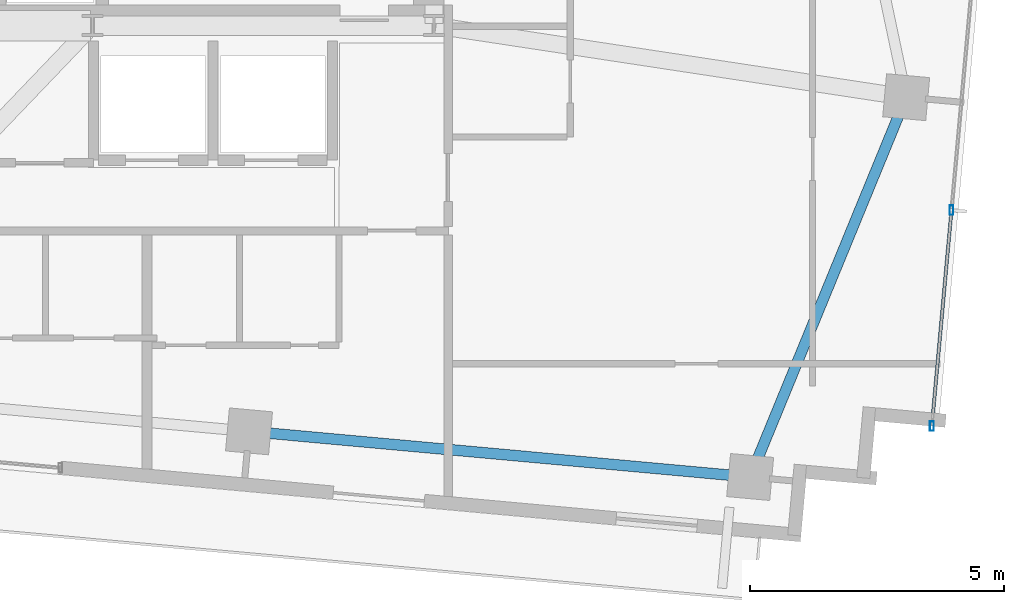
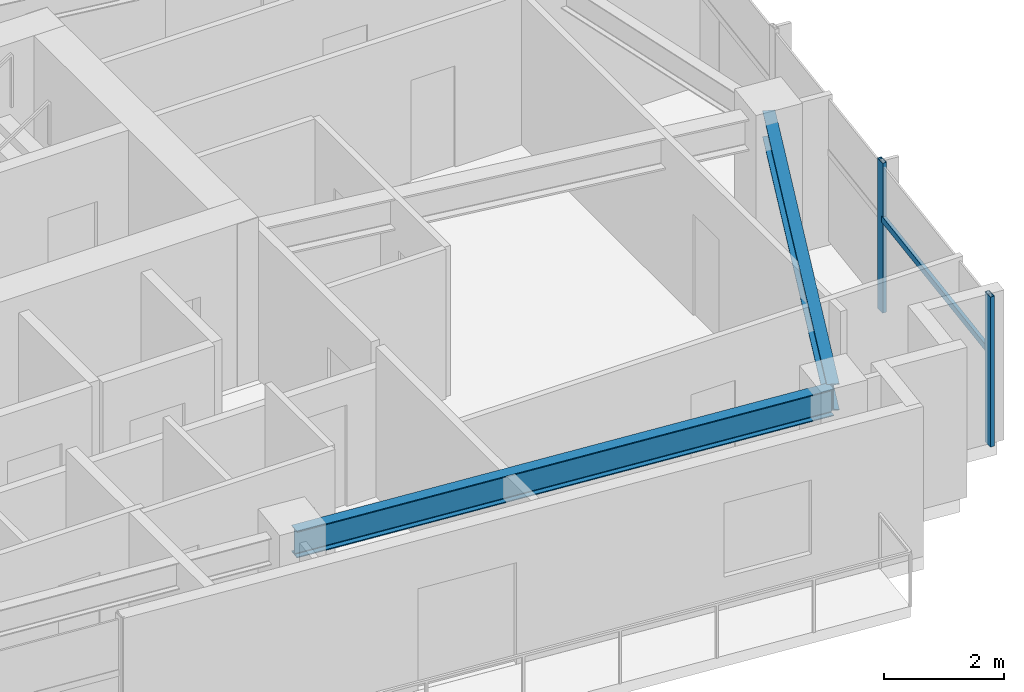
# One storey, part 12 of 22: 3 members, 2 beams, 1 element without a shape of its own.
"""IFC4 building model written with IfcOpenShell, lengths in metres."""

from ifc_helpers import new_model, si_unit, direction, frame, origin, origin_2d, place, context, subcontext, project, spatial, hollow_rectangle, i_section, extrude, source, transform, mapped, material, material_profile, profile_set, type_object, type_shapes, element, aggregate, save


model = new_model("IFC4")

# Units and contexts
model_context = context("Model", 3, precision=1e-05, world=origin(), true_north=direction((0.0, 1.0)))
body_context = subcontext(model_context, "Body", "Model", "MODEL_VIEW")
ifc_project = project(units=[si_unit("LENGTHUNIT", "METRE"), si_unit("AREAUNIT", "SQUARE_METRE"), si_unit("VOLUMEUNIT", "CUBIC_METRE"), si_unit("PLANEANGLEUNIT", "RADIAN"), si_unit("MASSUNIT", "GRAM", prefix="KILO")], contexts=[model_context])

# Site, building, storey
site_placement = place(None, origin())
site = spatial("IfcSite", under=ifc_project, at=site_placement, CompositionType="ELEMENT")
building_placement = place(site_placement, origin())
building = spatial("IfcBuilding", under=site, at=building_placement, Name="Astriad Promenade Condominiums", CompositionType="ELEMENT")
storey_placement = place(building_placement, frame((0.0, 0.0, 239.699951171875)))
storey = spatial("IfcBuildingStorey", under=building, at=storey_placement, Name="L69", CompositionType="ELEMENT", Elevation=239.699951171875)

# Beams
ifc_material_1 = material(Name="Steel ASTM A992 Grade 50", Category="steel")
ifc_material_profile_1 = material_profile(ifc_material_1, i_section(OverallWidth=0.210693359375, OverallDepth=0.53955078125, WebThickness=0.01171875, FlangeThickness=0.018798828125, FilletRadius=0.0166015625, at=origin_2d()), Name="W21X73")
ifc_profile_set_1 = profile_set([ifc_material_profile_1], Name="Steel ASTM A992 Grade 50")
beam_type = type_object("IfcBeamType", Name="STEEL SPANDREL BEAM W21X73", PredefinedType="SPANDREL", material=ifc_profile_set_1)
shared_shape_1 = source(origin(), body_context, "Body", "SweptSolid", [
    extrude(i_section(OverallWidth=0.210693359375, OverallDepth=0.53955078125, WebThickness=0.01171875, FlangeThickness=0.018798828125, FilletRadius=0.0166015625, at=origin_2d()), origin(), (0.0, 0.0, 1.0), 9.820068359375),
])
beam_1_placement = place(storey_placement, frame((41.99951171875, 9.410888671875, 2.770263671875), z_axis=(0.995883214993, -0.090645585088, 0.0), x_axis=(0.090645585088, 0.995883214993, 0.0)))
element("IfcBeam", 1, at=beam_1_placement, inside=storey, type_object=beam_type, Name="Perimeter Spandrel Beam SP-S4-L69", PredefinedType="SPANDREL", context=body_context, shape_type="MappedRepresentation", body=[
    mapped(shared_shape_1, transform((0.0, 0.0, 0.0), scale=1.0)),
])
shared_shape_2 = source(origin(), body_context, "Body", "SweptSolid", [
    extrude(i_section(OverallWidth=0.210693359375, OverallDepth=0.53955078125, WebThickness=0.01171875, FlangeThickness=0.018798828125, FilletRadius=0.0166015625, at=origin_2d()), origin(), (0.0, 0.0, 1.0), 7.998779296875),
])
type_shapes(beam_type, [shared_shape_1, shared_shape_2])
beam_2_placement = place(storey_placement, frame((51.833984375, 8.55419921875, 2.770263671875), z_axis=(0.38000513148, 0.924984378273, 0.0), x_axis=(-0.924984378273, 0.38000513148, 0.0)))
element("IfcBeam", 2, at=beam_2_placement, inside=storey, type_object=beam_type, Name="Perimeter Spandrel Beam SP-E1-L69", PredefinedType="SPANDREL", context=body_context, shape_type="MappedRepresentation", body=[
    mapped(shared_shape_2, transform((0.0, 0.0, 0.0), scale=1.0)),
])

# Curtain wall, members
ifc_material_2 = material(Name="Anodised aluminium Black Dark Glass Unitised", Category="aluminium")
curtain_wall_type = type_object("IfcCurtainWallType", Name="CW-B5-DARK", PredefinedType="USERDEFINED", material=ifc_material_2)
curtain_wall_placement = place(storey_placement, origin())
curtain_wall = element("IfcCurtainWall", 3, at=curtain_wall_placement, inside=storey, type_object=curtain_wall_type, Name="CW-L69-E", ObjectType="UNITISED_CURTAIN_WALL", PredefinedType="USERDEFINED")
ifc_material_3 = material(Name="Anodised aluminium 6063-T6 Black", Category="aluminium")
ifc_material_profile_2 = material_profile(ifc_material_3, hollow_rectangle(XDim=0.06494140625, YDim=0.1298828125, WallThickness=0.00390625, at=origin_2d()), Name="ALU-TRN-65X130")
ifc_profile_set_2 = profile_set([ifc_material_profile_2], Name="Anodised aluminium 6063-T6 Black")
member_type_1 = type_object("IfcMemberType", Name="TRN-ALU-TRN-65X130", PredefinedType="USERDEFINED", material=ifc_profile_set_2)
shared_shape_3 = source(origin(), body_context, "Body", "SweptSolid", [
    extrude(hollow_rectangle(XDim=0.06494140625, YDim=0.1298828125, WallThickness=0.00390625, at=origin_2d()), origin(), (0.0, 0.0, 1.0), 4.2666015625),
])
type_shapes(member_type_1, [shared_shape_3])
member_1_placement = place(storey_placement, frame((55.78076171875, 13.766357421875, 1.884765625), z_axis=(-0.090638931954, -0.99588382054, 0.0), x_axis=(0.99588382054, -0.090638931954, 0.0)))
member_1 = element("IfcMember", 4, at=member_1_placement, type_object=member_type_1, Name="CW-L69-E-TRN-02-0", ObjectType="TRANSOM", PredefinedType="USERDEFINED", context=body_context, shape_type="MappedRepresentation", body=[
    mapped(shared_shape_3, transform((0.0, 0.0, 0.0), scale=1.0)),
])
ifc_material_profile_3 = material_profile(ifc_material_3, hollow_rectangle(XDim=0.074951171875, YDim=0.18505859375, WallThickness=0.00439453125, at=origin_2d()), Name="ALU-MUL-75X185")
ifc_profile_set_3 = profile_set([ifc_material_profile_3], Name="Anodised aluminium 6063-T6 Black")
member_type_2 = type_object("IfcMemberType", Name="MUL-ALU-MUL-75X185", PredefinedType="MULLION", material=ifc_profile_set_3)
shared_shape_4 = source(origin(), body_context, "Body", "SweptSolid", [
    extrude(hollow_rectangle(XDim=0.074951171875, YDim=0.18505859375, WallThickness=0.00439453125, at=origin_2d()), origin(), (0.0, 0.0, 1.0), 3.0400390625),
])
type_shapes(member_type_2, [shared_shape_4])
member_2_placement = place(storey_placement, frame((55.78076171875, 13.766357421875, 0.0), z_axis=(0.0, 0.0, 1.0), x_axis=(1.0, 0.0, 0.0)))
member_2 = element("IfcMember", 5, at=member_2_placement, type_object=member_type_2, Name="CW-L69-E-MUL-02", PredefinedType="MULLION", context=body_context, shape_type="MappedRepresentation", body=[
    mapped(shared_shape_4, transform((0.0, 0.0, 0.0), scale=1.0)),
])
member_3_placement = place(storey_placement, frame((55.39404296875, 9.517333984375, 0.0), z_axis=(0.0, 0.0, 1.0), x_axis=(1.0, 0.0, 0.0)))
member_3 = element("IfcMember", 6, at=member_3_placement, type_object=member_type_2, Name="CW-L69-E-MUL-03", PredefinedType="MULLION", context=body_context, shape_type="MappedRepresentation", body=[
    mapped(shared_shape_4, transform((0.0, 0.0, 0.0), scale=1.0)),
])
aggregate(curtain_wall, [member_2, member_3, member_1])

save(model, "model.ifc")
